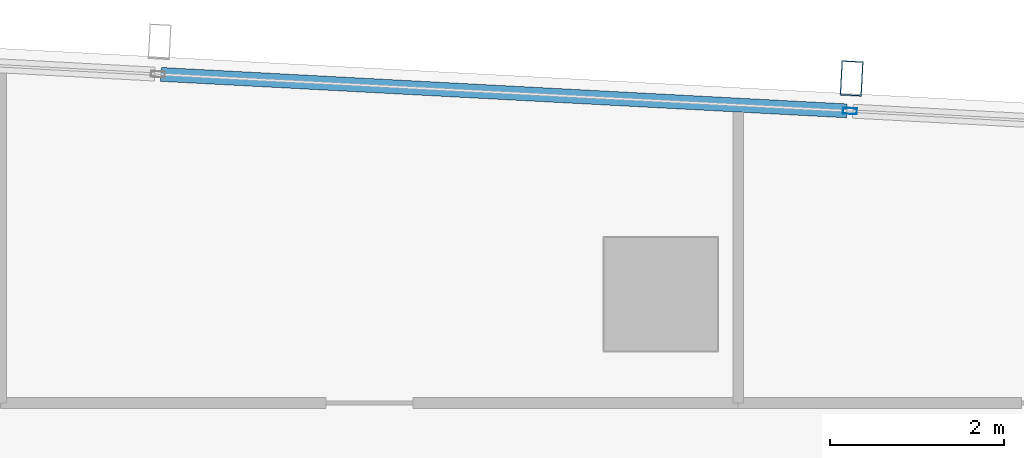
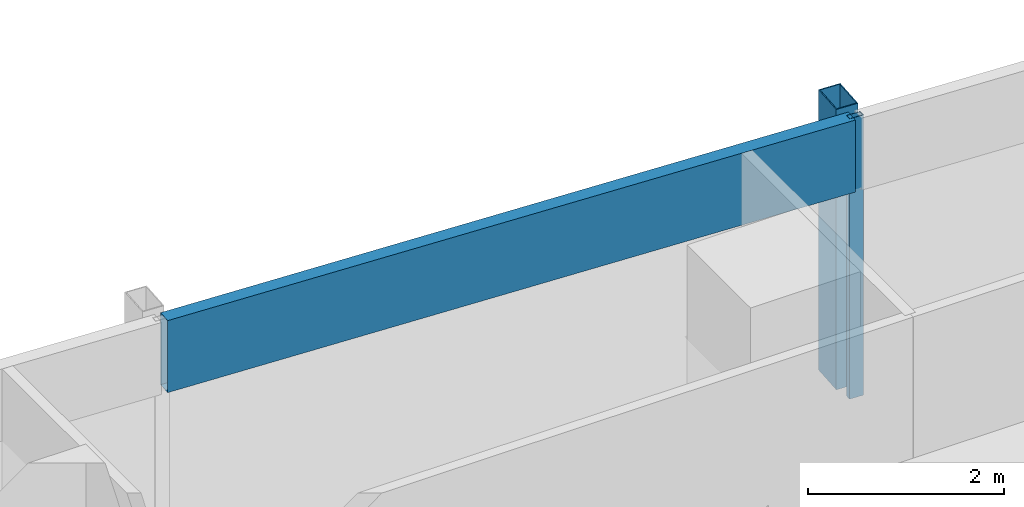
# One storey, part 18 of 29: 3 members, 1 element without a shape of its own.
"""IFC4 building model written with IfcOpenShell, lengths in metres."""

from ifc_helpers import new_model, si_unit, direction, frame, origin, origin_2d, place, context, subcontext, project, spatial, hollow_rectangle, extrude, material, material_profile, profile_set, type_object, element, aggregate, save


model = new_model("IFC4")

# Units and contexts
model_context = context("Model", 3, precision=1e-05, world=origin(), true_north=direction((0.0, 1.0)))
body_context = subcontext(model_context, "Body", "Model", "MODEL_VIEW")
ifc_project = project(units=[si_unit("LENGTHUNIT", "METRE"), si_unit("AREAUNIT", "SQUARE_METRE"), si_unit("VOLUMEUNIT", "CUBIC_METRE"), si_unit("PLANEANGLEUNIT", "RADIAN"), si_unit("MASSUNIT", "GRAM", prefix="KILO")], contexts=[model_context])

# Site, building, storey
site_placement = place(None, origin())
site = spatial("IfcSite", under=ifc_project, at=site_placement, CompositionType="ELEMENT")
building_placement = place(site_placement, origin())
building = spatial("IfcBuilding", under=site, at=building_placement, Name="Rekha Terrace Tower", CompositionType="ELEMENT")
storey_placement = place(building_placement, frame((0.0, 0.0, 261.35009765625)))
storey = spatial("IfcBuildingStorey", under=building, at=storey_placement, Name="L66", CompositionType="ELEMENT", Elevation=261.35009765625)

# Curtain wall, members
ifc_material_1 = material(Name="Aluminium framing", Category="aluminium")
curtain_wall_type = type_object("IfcCurtainWallType", Name="CW3 north unitised glazing", PredefinedType="USERDEFINED", material=ifc_material_1)
curtain_wall_placement = place(storey_placement, origin())
curtain_wall = element("IfcCurtainWall", 1, at=curtain_wall_placement, inside=storey, type_object=curtain_wall_type, Name="CW3 unitised curtain wall", ObjectType="UNITISED CURTAIN WALL", PredefinedType="USERDEFINED")
ifc_material_2 = material(Name="Steel S355 with fluorocarbon finish", Category="steel")
ifc_material_profile_1 = material_profile(ifc_material_2, hollow_rectangle(XDim=0.25, YDim=0.39990234375, WallThickness=0.012451171875, at=origin_2d()), Name="RHS400x250x12.5")
ifc_profile_set_1 = profile_set([ifc_material_profile_1], Name="Steel S355 with fluorocarbon finish")
member_type_1 = type_object("IfcMemberType", Name="BL1 facade blade RHS 400 x 250", PredefinedType="USERDEFINED", material=ifc_profile_set_1)
member_1_placement = place(storey_placement, frame((44.192626953125, 52.87890625, 0.0), z_axis=(0.0, 0.0, 1.0), x_axis=(-0.998590068481, 0.053083661621, 0.0)))
member_1 = element("IfcMember", 2, at=member_1_placement, type_object=member_type_1, Name="Facade blade", ObjectType="FACADE BLADE", PredefinedType="USERDEFINED", context=body_context, shape_type="SweptSolid", body=[
    extrude(hollow_rectangle(XDim=0.25, YDim=0.39990234375, WallThickness=0.012451171875, at=origin_2d()), origin(), (0.0, 0.0, 1.0), 3.5),
])
ifc_material_3 = material(Name="Aluminium mullion section", Category="aluminium")
ifc_material_profile_2 = material_profile(ifc_material_3, hollow_rectangle(XDim=0.070068359375, YDim=0.159912109375, WallThickness=0.00390625, at=origin_2d()), Name="AL RHS 70x160")
ifc_profile_set_2 = profile_set([ifc_material_profile_2], Name="Aluminium mullion section")
member_type_2 = type_object("IfcMemberType", Name="CW3 mullion RHS 70 x 160", PredefinedType="MULLION", material=ifc_profile_set_2)
member_2_placement = place(storey_placement, frame((44.1728515625, 52.50439453125, 0.0), z_axis=(0.0, 0.0, 1.0), x_axis=(-0.053083275524, -0.998590089005, 0.0)))
member_2 = element("IfcMember", 3, at=member_2_placement, type_object=member_type_2, Name="CW3 mullion 3", PredefinedType="MULLION", context=body_context, shape_type="SweptSolid", body=[
    extrude(hollow_rectangle(XDim=0.070068359375, YDim=0.159912109375, WallThickness=0.00390625, at=origin_2d()), origin(), (0.0, 0.0, 1.0), 3.5),
])
ifc_material_4 = material(Name="Insulated aluminium spandrel box", Category="aluminium")
ifc_material_profile_3 = material_profile(ifc_material_4, hollow_rectangle(XDim=0.159912109375, YDim=0.89990234375, WallThickness=0.0029296875, at=origin_2d()), Name="AL SPANDREL BOX 160x900")
ifc_profile_set_3 = profile_set([ifc_material_profile_3], Name="Insulated aluminium spandrel box")
member_type_3 = type_object("IfcMemberType", Name="CW3 spandrel transom 160 x 900", PredefinedType="USERDEFINED", material=ifc_profile_set_3)
member_3_placement = place(storey_placement, frame((44.137939453125, 52.506103515625, 3.0498046875), z_axis=(-0.998589828491, 0.053088176024, 0.0), x_axis=(-0.053088176024, -0.998589828491, 0.0)))
member_3 = element("IfcMember", 4, at=member_3_placement, type_object=member_type_3, Name="CW3 spandrel transom 3", ObjectType="TRANSOM", PredefinedType="USERDEFINED", context=body_context, shape_type="SweptSolid", body=[
    extrude(hollow_rectangle(XDim=0.159912109375, YDim=0.89990234375, WallThickness=0.0029296875, at=origin_2d()), origin(), (0.0, 0.0, 1.0), 7.8916015625),
])
aggregate(curtain_wall, [member_2, member_3, member_1])

save(model, "model.ifc")
